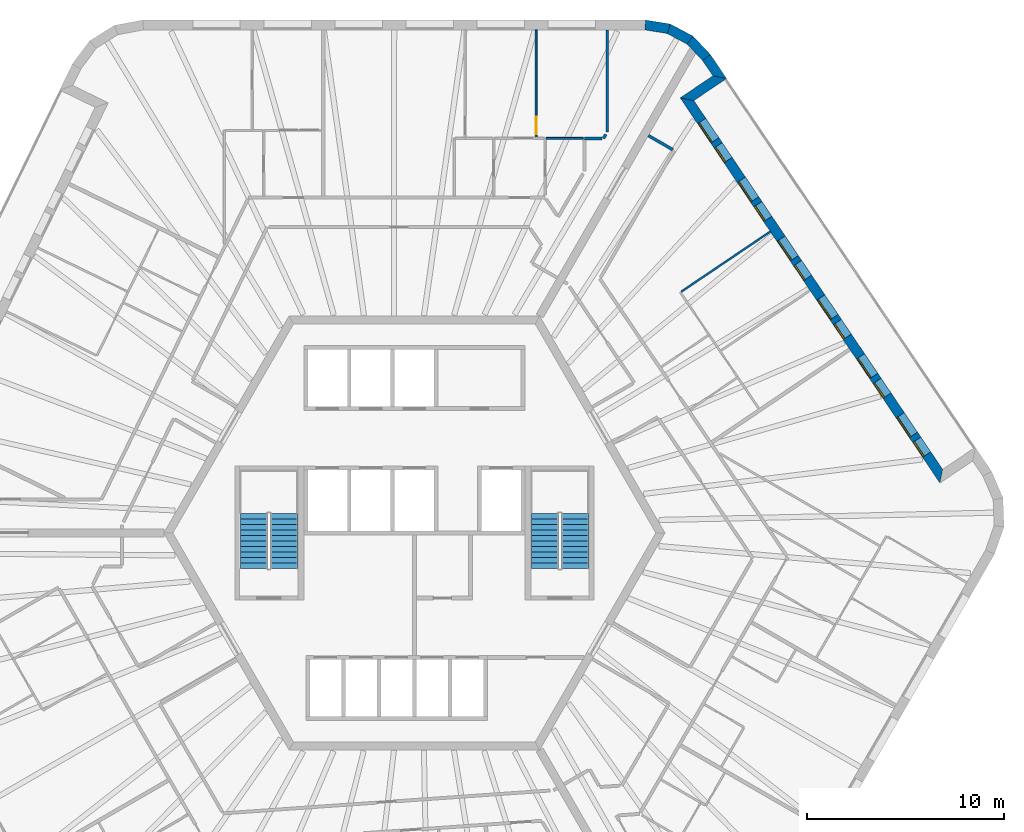
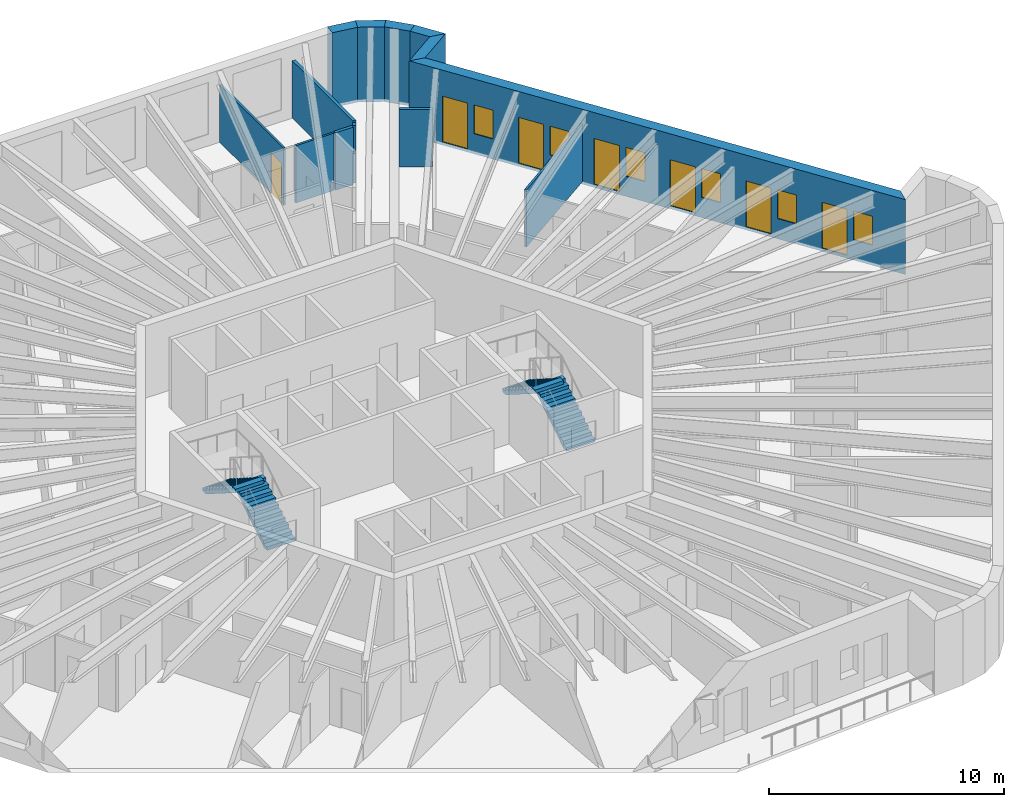
# One storey, part 11 of 12: 13 walls, 7 doors, 6 windows, 4 stair flights, 13 openings, 2 elements without a shape of their own.
"""IFC4 building model written with IfcOpenShell, lengths in metres."""

from ifc_helpers import new_model, si_unit, direction, frame, frame_2d, origin, place, context, subcontext, project, spatial, polyline, rectangle, outline, extrude, material, layer, layer_set, type_object, element, fill, aggregate, save


model = new_model("IFC4")

# Units and contexts
model_context = context("Model", 3, precision=1e-05, world=origin(), true_north=direction((0.0, 1.0)))
body_context = subcontext(model_context, "Body", "Model", "MODEL_VIEW")
ifc_project = project(units=[si_unit("LENGTHUNIT", "METRE"), si_unit("AREAUNIT", "SQUARE_METRE"), si_unit("VOLUMEUNIT", "CUBIC_METRE"), si_unit("PLANEANGLEUNIT", "RADIAN"), si_unit("MASSUNIT", "GRAM", prefix="KILO")], contexts=[model_context])

# Site, building, storey
site_placement = place(None, origin())
site = spatial("IfcSite", under=ifc_project, at=site_placement, CompositionType="ELEMENT")
building_placement = place(site_placement, origin())
building = spatial("IfcBuilding", under=site, at=building_placement, Name="Tarnside Tower", CompositionType="ELEMENT")
storey_placement = place(building_placement, frame((0.0, 0.0, 271.800048828125)))
storey = spatial("IfcBuildingStorey", under=building, at=storey_placement, Name="L65", CompositionType="ELEMENT", Elevation=271.800048828125)

# Walls
ifc_material_1 = material(Name="Gypsum board partition on steel studs", Category="steel")
ifc_layer_1 = layer(ifc_material_1, 0.10009765625)
ifc_layer_set_1 = layer_set([ifc_layer_1], Name="Bathroom wall 100")
wall_type_1 = type_object("IfcWallType", Name="Bathroom wall 100", PredefinedType="PARTITIONING", material=ifc_layer_set_1)
wall_1_placement = place(storey_placement, frame((6.676513671875, 20.0, 0.0), z_axis=(0.0, 0.0, 1.0), x_axis=(1.0, 0.0, 0.0)))
element("IfcWall", 1, at=wall_1_placement, inside=storey, type_object=wall_type_1, Name="Bathroom wall 21097", PredefinedType="PARTITIONING", context=body_context, shape_type="SweptSolid", body=[
    extrude(rectangle(XDim=1.875, YDim=0.10009765625, at=frame_2d((0.9375, 0.0))), origin(), (0.0, 0.0, 1.0), 2.98779296875),
])
ifc_layer_2 = layer(ifc_material_1, 0.14990234375)
ifc_layer_set_2 = layer_set([ifc_layer_2], Name="Corridor wall 150 EI 60")
wall_type_2 = type_object("IfcWallType", Name="Corridor wall 150 EI 60", PredefinedType="PARTITIONING", material=ifc_layer_set_2)
wall_2_placement = place(storey_placement, frame((9.775146484375, 25.5, 0.0), z_axis=(0.0, 0.0, 1.0), x_axis=(0.0, -1.0, 0.0)))
element("IfcWall", 2, at=wall_2_placement, inside=storey, type_object=wall_type_2, Name="Corridor wall 21004", PredefinedType="PARTITIONING", context=body_context, shape_type="SweptSolid", body=[
    extrude(rectangle(XDim=5.1689453125, YDim=0.14990234375, at=frame_2d((2.58447265625, 0.0))), origin(), (0.0, 0.0, 1.0), 2.98779296875),
])
wall_3_placement = place(storey_placement, frame((9.7001953125, 20.201171875, 0.0), z_axis=(0.0, 0.0, 1.0), x_axis=(-0.500207565094, -0.865905532852, 0.0)))
element("IfcWall", 3, at=wall_3_placement, inside=storey, type_object=wall_type_2, Name="Corridor wall 21005", PredefinedType="PARTITIONING", context=body_context, shape_type="SweptSolid", body=[
    extrude(rectangle(XDim=0.232421875, YDim=0.14990234375, at=frame_2d((0.1162109375, 0.0))), origin(), (0.0, 0.0, 1.0), 2.98779296875),
])
wall_4_placement = place(storey_placement, frame((9.497314453125, 20.0, 0.0), z_axis=(0.0, 0.0, 1.0), x_axis=(-1.0, 0.0, 0.0)))
element("IfcWall", 4, at=wall_4_placement, inside=storey, type_object=wall_type_2, Name="Corridor wall 21006", PredefinedType="PARTITIONING", context=body_context, shape_type="SweptSolid", body=[
    extrude(rectangle(XDim=0.874267578125, YDim=0.14990234375, at=frame_2d((0.43701171875, 0.0))), origin(), (0.0, 0.0, 1.0), 2.98779296875),
])
wall_5_placement = place(storey_placement, frame((13.09423828125, 19.429931640625, 0.0), z_axis=(0.0, 0.0, 1.0), x_axis=(-0.866062911188, 0.499935029643, 0.0)))
element("IfcWall", 5, at=wall_5_placement, inside=storey, type_object=wall_type_2, Name="Corridor wall 21071", PredefinedType="PARTITIONING", context=body_context, shape_type="SweptSolid", body=[
    extrude(rectangle(XDim=1.425048828125, YDim=0.14990234375, at=frame_2d((0.71240234375, 0.0))), origin(), (0.0, 0.0, 1.0), 2.98779296875),
])

# Wall, openings, doors, windows
ifc_material_2 = material(Name="Dark zinc cladding")
ifc_layer_3 = layer(ifc_material_2, 0.10205078125)
ifc_material_3 = material(Name="Concrete C60/75 precast", Category="concrete")
ifc_layer_4 = layer(ifc_material_3, 0.298095703125)
ifc_material_4 = material(Name="Mineral wool insulation")
ifc_layer_5 = layer(ifc_material_4, 0.10009765625)
ifc_layer_set_3 = layer_set([ifc_layer_3, ifc_layer_4, ifc_layer_5], Name="Loggia wall 500 zinc faced")
wall_type_3 = type_object("IfcWallType", Name="Loggia wall 500 zinc faced", PredefinedType="SOLIDWALL", material=ifc_layer_set_3)
wall_6_placement = place(storey_placement, frame((26.705810546875, 2.87890625, -0.150146484375), z_axis=(0.0, 0.0, 1.0), x_axis=(-0.559197891507, 0.829034208061, 0.0)))
wall_6 = element("IfcWall", 6, at=wall_6_placement, inside=storey, type_object=wall_type_3, Name="Tube wall L65 F6 back 30", PredefinedType="SOLIDWALL", context=body_context, shape_type="SweptSolid", body=[
    extrude(outline(polyline([(0.25, -0.25), (22.794677734375, -0.25), (23.294677734375, 0.25), (-0.25, 0.25), (0.25, -0.25)])), origin(), (0.0, 0.0, 1.0), 3.900146484375),
])
opening_1_placement = place(wall_6_placement, frame((1.322509765625, 0.0, 1.050048828125)))
opening_1 = element("IfcOpeningElement", 7, at=opening_1_placement, cuts=wall_6, Name="Opening WL500", PredefinedType="OPENING", context=body_context, shape_type="SweptSolid", body=[
    extrude(rectangle(XDim=0.89990234375, YDim=1.5, at=frame_2d((0.449951171875, 0.75))), frame((0.0, 0.260009765625, 0.0), z_axis=(0.0, -1.0, 0.0), x_axis=(1.0, 0.0, 0.0)), (0.0, 0.0, 1.0), 0.52001953125),
])
opening_2_placement = place(wall_6_placement, frame((2.5224609375, 0.0, 0.14990234375)))
opening_2 = element("IfcOpeningElement", 8, at=opening_2_placement, cuts=wall_6, Name="Opening DB500", PredefinedType="OPENING", context=body_context, shape_type="SweptSolid", body=[
    extrude(rectangle(XDim=1.199951171875, YDim=2.39990234375, at=frame_2d((0.60009765625, 1.199951171875))), frame((0.0, 0.260009765625, 0.0), z_axis=(0.0, -1.0, 0.0), x_axis=(1.0, 0.0, 0.0)), (0.0, 0.0, 1.0), 0.52001953125),
])
opening_3_placement = place(wall_6_placement, frame((4.92236328125, 0.0, 1.050048828125)))
opening_3 = element("IfcOpeningElement", 9, at=opening_3_placement, cuts=wall_6, Name="Opening WL500", PredefinedType="OPENING", context=body_context, shape_type="SweptSolid", body=[
    extrude(rectangle(XDim=0.89990234375, YDim=1.5, at=frame_2d((0.449951171875, 0.75))), frame((0.0, 0.260009765625, 0.0), z_axis=(0.0, -1.0, 0.0), x_axis=(1.0, 0.0, 0.0)), (0.0, 0.0, 1.0), 0.52001953125),
])
opening_4_placement = place(wall_6_placement, frame((6.122314453125, 0.0, 0.14990234375)))
opening_4 = element("IfcOpeningElement", 10, at=opening_4_placement, cuts=wall_6, Name="Opening DB500", PredefinedType="OPENING", context=body_context, shape_type="SweptSolid", body=[
    extrude(rectangle(XDim=1.199951171875, YDim=2.39990234375, at=frame_2d((0.60009765625, 1.199951171875))), frame((0.0, 0.260009765625, 0.0), z_axis=(0.0, -1.0, 0.0), x_axis=(1.0, 0.0, 0.0)), (0.0, 0.0, 1.0), 0.52001953125),
])
opening_5_placement = place(wall_6_placement, frame((8.5224609375, 0.0, 1.050048828125)))
opening_5 = element("IfcOpeningElement", 11, at=opening_5_placement, cuts=wall_6, Name="Opening WL500", PredefinedType="OPENING", context=body_context, shape_type="SweptSolid", body=[
    extrude(rectangle(XDim=0.89990234375, YDim=1.5, at=frame_2d((0.449951171875, 0.75))), frame((0.0, 0.260009765625, 0.0), z_axis=(0.0, -1.0, 0.0), x_axis=(1.0, 0.0, 0.0)), (0.0, 0.0, 1.0), 0.52001953125),
])
opening_6_placement = place(wall_6_placement, frame((9.722412109375, 0.0, 0.14990234375)))
opening_6 = element("IfcOpeningElement", 12, at=opening_6_placement, cuts=wall_6, Name="Opening DB500", PredefinedType="OPENING", context=body_context, shape_type="SweptSolid", body=[
    extrude(rectangle(XDim=1.199951171875, YDim=2.39990234375, at=frame_2d((0.60009765625, 1.199951171875))), frame((0.0, 0.260009765625, 0.0), z_axis=(0.0, -1.0, 0.0), x_axis=(1.0, 0.0, 0.0)), (0.0, 0.0, 1.0), 0.52001953125),
])
opening_7_placement = place(wall_6_placement, frame((12.122314453125, 0.0, 1.050048828125)))
opening_7 = element("IfcOpeningElement", 13, at=opening_7_placement, cuts=wall_6, Name="Opening WL500", PredefinedType="OPENING", context=body_context, shape_type="SweptSolid", body=[
    extrude(rectangle(XDim=0.89990234375, YDim=1.5, at=frame_2d((0.449951171875, 0.75))), frame((0.0, 0.260009765625, 0.0), z_axis=(0.0, -1.0, 0.0), x_axis=(1.0, 0.0, 0.0)), (0.0, 0.0, 1.0), 0.52001953125),
])
opening_8_placement = place(wall_6_placement, frame((13.322509765625, 0.0, 0.14990234375)))
opening_8 = element("IfcOpeningElement", 14, at=opening_8_placement, cuts=wall_6, Name="Opening DB500", PredefinedType="OPENING", context=body_context, shape_type="SweptSolid", body=[
    extrude(rectangle(XDim=1.199951171875, YDim=2.39990234375, at=frame_2d((0.60009765625, 1.199951171875))), frame((0.0, 0.260009765625, 0.0), z_axis=(0.0, -1.0, 0.0), x_axis=(1.0, 0.0, 0.0)), (0.0, 0.0, 1.0), 0.52001953125),
])
opening_9_placement = place(wall_6_placement, frame((15.722412109375, 0.0, 1.050048828125)))
opening_9 = element("IfcOpeningElement", 15, at=opening_9_placement, cuts=wall_6, Name="Opening WL500", PredefinedType="OPENING", context=body_context, shape_type="SweptSolid", body=[
    extrude(rectangle(XDim=0.89990234375, YDim=1.5, at=frame_2d((0.449951171875, 0.75))), frame((0.0, 0.260009765625, 0.0), z_axis=(0.0, -1.0, 0.0), x_axis=(1.0, 0.0, 0.0)), (0.0, 0.0, 1.0), 0.52001953125),
])
opening_10_placement = place(wall_6_placement, frame((16.92236328125, 0.0, 0.14990234375)))
opening_10 = element("IfcOpeningElement", 16, at=opening_10_placement, cuts=wall_6, Name="Opening DB500", PredefinedType="OPENING", context=body_context, shape_type="SweptSolid", body=[
    extrude(rectangle(XDim=1.199951171875, YDim=2.39990234375, at=frame_2d((0.60009765625, 1.199951171875))), frame((0.0, 0.260009765625, 0.0), z_axis=(0.0, -1.0, 0.0), x_axis=(1.0, 0.0, 0.0)), (0.0, 0.0, 1.0), 0.52001953125),
])
opening_11_placement = place(wall_6_placement, frame((19.322509765625, 0.0, 1.050048828125)))
opening_11 = element("IfcOpeningElement", 17, at=opening_11_placement, cuts=wall_6, Name="Opening WL500", PredefinedType="OPENING", context=body_context, shape_type="SweptSolid", body=[
    extrude(rectangle(XDim=0.89990234375, YDim=1.5, at=frame_2d((0.449951171875, 0.75))), frame((0.0, 0.260009765625, 0.0), z_axis=(0.0, -1.0, 0.0), x_axis=(1.0, 0.0, 0.0)), (0.0, 0.0, 1.0), 0.52001953125),
])
opening_12_placement = place(wall_6_placement, frame((20.5224609375, 0.0, 0.14990234375)))
opening_12 = element("IfcOpeningElement", 18, at=opening_12_placement, cuts=wall_6, Name="Opening DB500", PredefinedType="OPENING", context=body_context, shape_type="SweptSolid", body=[
    extrude(rectangle(XDim=1.199951171875, YDim=2.39990234375, at=frame_2d((0.60009765625, 1.199951171875))), frame((0.0, 0.260009765625, 0.0), z_axis=(0.0, -1.0, 0.0), x_axis=(1.0, 0.0, 0.0)), (0.0, 0.0, 1.0), 0.52001953125),
])
ifc_material_5 = material(Name="Aluminium-framed double glazing", Category="aluminium")
door_type_1 = type_object("IfcDoorType", Name="Balcony sliding door 1200 x 2400 in 500 wall", OperationType="SLIDING_TO_LEFT", PredefinedType="DOOR", material=ifc_material_5)
door_1_placement = place(opening_2_placement, frame((0.0, 0.1748046875, 0.0)))
door_1 = element("IfcDoor", 19, at=door_1_placement, inside=storey, type_object=door_type_1, Name="E.BD.L65.F6.00", OperationType="SLIDING_TO_LEFT", OverallHeight=2.39990234375, OverallWidth=1.199951171875, PredefinedType="DOOR", context=body_context, shape_type="SweptSolid", body=[
    extrude(rectangle(XDim=1.199951171875, YDim=2.39990234375, at=frame_2d((0.60009765625, 1.199951171875))), frame((0.0, 0.02490234375, 0.0), z_axis=(0.0, -1.0, 0.0), x_axis=(1.0, 0.0, 0.0)), (0.0, 0.0, 1.0), 0.050048828125),
])
fill(opening_2, door_1)
door_2_placement = place(opening_4_placement, frame((0.0, 0.1748046875, 0.0)))
door_2 = element("IfcDoor", 20, at=door_2_placement, inside=storey, type_object=door_type_1, Name="E.BD.L65.F6.01", OperationType="SLIDING_TO_LEFT", OverallHeight=2.39990234375, OverallWidth=1.199951171875, PredefinedType="DOOR", context=body_context, shape_type="SweptSolid", body=[
    extrude(rectangle(XDim=1.199951171875, YDim=2.39990234375, at=frame_2d((0.60009765625, 1.199951171875))), frame((0.0, 0.02490234375, 0.0), z_axis=(0.0, -1.0, 0.0), x_axis=(1.0, 0.0, 0.0)), (0.0, 0.0, 1.0), 0.050048828125),
])
fill(opening_4, door_2)
door_3_placement = place(opening_6_placement, frame((0.0, 0.1748046875, 0.0)))
door_3 = element("IfcDoor", 21, at=door_3_placement, inside=storey, type_object=door_type_1, Name="E.BD.L65.F6.02", OperationType="SLIDING_TO_LEFT", OverallHeight=2.39990234375, OverallWidth=1.199951171875, PredefinedType="DOOR", context=body_context, shape_type="SweptSolid", body=[
    extrude(rectangle(XDim=1.199951171875, YDim=2.39990234375, at=frame_2d((0.60009765625, 1.199951171875))), frame((0.0, 0.02490234375, 0.0), z_axis=(0.0, -1.0, 0.0), x_axis=(1.0, 0.0, 0.0)), (0.0, 0.0, 1.0), 0.050048828125),
])
fill(opening_6, door_3)
door_4_placement = place(opening_8_placement, frame((0.0, 0.1748046875, 0.0)))
door_4 = element("IfcDoor", 22, at=door_4_placement, inside=storey, type_object=door_type_1, Name="E.BD.L65.F6.03", OperationType="SLIDING_TO_LEFT", OverallHeight=2.39990234375, OverallWidth=1.199951171875, PredefinedType="DOOR", context=body_context, shape_type="SweptSolid", body=[
    extrude(rectangle(XDim=1.199951171875, YDim=2.39990234375, at=frame_2d((0.60009765625, 1.199951171875))), frame((0.0, 0.02490234375, 0.0), z_axis=(0.0, -1.0, 0.0), x_axis=(1.0, 0.0, 0.0)), (0.0, 0.0, 1.0), 0.050048828125),
])
fill(opening_8, door_4)
door_5_placement = place(opening_10_placement, frame((0.0, 0.1748046875, 0.0)))
door_5 = element("IfcDoor", 23, at=door_5_placement, inside=storey, type_object=door_type_1, Name="E.BD.L65.F6.04", OperationType="SLIDING_TO_LEFT", OverallHeight=2.39990234375, OverallWidth=1.199951171875, PredefinedType="DOOR", context=body_context, shape_type="SweptSolid", body=[
    extrude(rectangle(XDim=1.199951171875, YDim=2.39990234375, at=frame_2d((0.60009765625, 1.199951171875))), frame((0.0, 0.02490234375, 0.0), z_axis=(0.0, -1.0, 0.0), x_axis=(1.0, 0.0, 0.0)), (0.0, 0.0, 1.0), 0.050048828125),
])
fill(opening_10, door_5)
door_6_placement = place(opening_12_placement, frame((0.0, 0.1748046875, 0.0)))
door_6 = element("IfcDoor", 24, at=door_6_placement, inside=storey, type_object=door_type_1, Name="E.BD.L65.F6.05", OperationType="SLIDING_TO_LEFT", OverallHeight=2.39990234375, OverallWidth=1.199951171875, PredefinedType="DOOR", context=body_context, shape_type="SweptSolid", body=[
    extrude(rectangle(XDim=1.199951171875, YDim=2.39990234375, at=frame_2d((0.60009765625, 1.199951171875))), frame((0.0, 0.02490234375, 0.0), z_axis=(0.0, -1.0, 0.0), x_axis=(1.0, 0.0, 0.0)), (0.0, 0.0, 1.0), 0.050048828125),
])
fill(opening_12, door_6)
window_type = type_object("IfcWindowType", Name="Loggia window 900 x 1500 in 500 wall", PartitioningType="SINGLE_PANEL", PredefinedType="WINDOW", material=ifc_material_5)
window_1_placement = place(opening_1_placement, frame((0.0, 0.179931640625, 0.0)))
window_1 = element("IfcWindow", 25, at=window_1_placement, inside=storey, type_object=window_type, Name="E.LW.L65.F6.00", OverallHeight=1.5, OverallWidth=0.89990234375, PartitioningType="SINGLE_PANEL", PredefinedType="WINDOW", context=body_context, shape_type="SweptSolid", body=[
    extrude(rectangle(XDim=0.89990234375, YDim=1.5, at=frame_2d((0.449951171875, 0.75))), frame((0.0, 0.030029296875, 0.0), z_axis=(0.0, -1.0, 0.0), x_axis=(1.0, 0.0, 0.0)), (0.0, 0.0, 1.0), 0.06005859375),
])
fill(opening_1, window_1)
window_2_placement = place(opening_3_placement, frame((0.0, 0.179931640625, 0.0)))
window_2 = element("IfcWindow", 26, at=window_2_placement, inside=storey, type_object=window_type, Name="E.LW.L65.F6.01", OverallHeight=1.5, OverallWidth=0.89990234375, PartitioningType="SINGLE_PANEL", PredefinedType="WINDOW", context=body_context, shape_type="SweptSolid", body=[
    extrude(rectangle(XDim=0.89990234375, YDim=1.5, at=frame_2d((0.449951171875, 0.75))), frame((0.0, 0.030029296875, 0.0), z_axis=(0.0, -1.0, 0.0), x_axis=(1.0, 0.0, 0.0)), (0.0, 0.0, 1.0), 0.06005859375),
])
fill(opening_3, window_2)
window_3_placement = place(opening_5_placement, frame((0.0, 0.179931640625, 0.0)))
window_3 = element("IfcWindow", 27, at=window_3_placement, inside=storey, type_object=window_type, Name="E.LW.L65.F6.02", OverallHeight=1.5, OverallWidth=0.89990234375, PartitioningType="SINGLE_PANEL", PredefinedType="WINDOW", context=body_context, shape_type="SweptSolid", body=[
    extrude(rectangle(XDim=0.89990234375, YDim=1.5, at=frame_2d((0.449951171875, 0.75))), frame((0.0, 0.030029296875, 0.0), z_axis=(0.0, -1.0, 0.0), x_axis=(1.0, 0.0, 0.0)), (0.0, 0.0, 1.0), 0.06005859375),
])
fill(opening_5, window_3)
window_4_placement = place(opening_7_placement, frame((0.0, 0.179931640625, 0.0)))
window_4 = element("IfcWindow", 28, at=window_4_placement, inside=storey, type_object=window_type, Name="E.LW.L65.F6.03", OverallHeight=1.5, OverallWidth=0.89990234375, PartitioningType="SINGLE_PANEL", PredefinedType="WINDOW", context=body_context, shape_type="SweptSolid", body=[
    extrude(rectangle(XDim=0.89990234375, YDim=1.5, at=frame_2d((0.449951171875, 0.75))), frame((0.0, 0.030029296875, 0.0), z_axis=(0.0, -1.0, 0.0), x_axis=(1.0, 0.0, 0.0)), (0.0, 0.0, 1.0), 0.06005859375),
])
fill(opening_7, window_4)
window_5_placement = place(opening_9_placement, frame((0.0, 0.179931640625, 0.0)))
window_5 = element("IfcWindow", 29, at=window_5_placement, inside=storey, type_object=window_type, Name="E.LW.L65.F6.04", OverallHeight=1.5, OverallWidth=0.89990234375, PartitioningType="SINGLE_PANEL", PredefinedType="WINDOW", context=body_context, shape_type="SweptSolid", body=[
    extrude(rectangle(XDim=0.89990234375, YDim=1.5, at=frame_2d((0.449951171875, 0.75))), frame((0.0, 0.030029296875, 0.0), z_axis=(0.0, -1.0, 0.0), x_axis=(1.0, 0.0, 0.0)), (0.0, 0.0, 1.0), 0.06005859375),
])
fill(opening_9, window_5)
window_6_placement = place(opening_11_placement, frame((0.0, 0.179931640625, 0.0)))
window_6 = element("IfcWindow", 30, at=window_6_placement, inside=storey, type_object=window_type, Name="E.LW.L65.F6.05", OverallHeight=1.5, OverallWidth=0.89990234375, PartitioningType="SINGLE_PANEL", PredefinedType="WINDOW", context=body_context, shape_type="SweptSolid", body=[
    extrude(rectangle(XDim=0.89990234375, YDim=1.5, at=frame_2d((0.449951171875, 0.75))), frame((0.0, 0.030029296875, 0.0), z_axis=(0.0, -1.0, 0.0), x_axis=(1.0, 0.0, 0.0)), (0.0, 0.0, 1.0), 0.06005859375),
])
fill(opening_11, window_6)

# Walls
wall_7_placement = place(storey_placement, frame((13.8193359375, 21.983642578125, -0.150146484375), z_axis=(0.0, 0.0, 1.0), x_axis=(0.829052389485, 0.559170935841, 0.0)))
element("IfcWall", 31, at=wall_7_placement, inside=storey, type_object=wall_type_3, Name="Tube wall L65 F6 return 31", PredefinedType="SOLIDWALL", context=body_context, shape_type="SweptSolid", body=[
    extrude(outline(polyline([(0.25, -0.25), (2.25, -0.25), (1.75, 0.25), (-0.25, 0.25), (0.25, -0.25)])), origin(), (0.0, 0.0, 1.0), 3.900146484375),
])
wall_8_placement = place(storey_placement, frame((15.4775390625, 23.10205078125, -0.150146484375), z_axis=(0.0, 0.0, 1.0), x_axis=(-0.559245726333, 0.829001940636, 0.0)))
element("IfcWall", 32, at=wall_8_placement, inside=storey, type_object=wall_type_3, Name="Tube wall L65 F6 stub 32", PredefinedType="SOLIDWALL", context=body_context, shape_type="SweptSolid", body=[
    extrude(outline(polyline([(-0.25, -0.25), (1.220703125, -0.25), (1.1796875, 0.25), (0.25, 0.25), (-0.25, -0.25)])), origin(), (0.0, 0.0, 1.0), 3.900146484375),
])

# Wall, opening, door
ifc_layer_6 = layer(ifc_material_1, 0.10009765625)
ifc_layer_set_4 = layer_set([ifc_layer_6], Name="Partition 100")
wall_type_4 = type_object("IfcWallType", Name="Partition 100", PredefinedType="PARTITIONING", material=ifc_layer_set_4)
wall_9_placement = place(storey_placement, frame((6.17529296875, 25.5, 0.0), z_axis=(0.0, 0.0, 1.0), x_axis=(0.0, -1.0, 0.0)))
wall_9 = element("IfcWall", 33, at=wall_9_placement, inside=storey, type_object=wall_type_4, Name="Partition wall 21096", PredefinedType="PARTITIONING", context=body_context, shape_type="SweptSolid", body=[
    extrude(rectangle(XDim=5.449951171875, YDim=0.10009765625, at=frame_2d((2.72509765625, 0.0))), origin(), (0.0, 0.0, 1.0), 2.98779296875),
])
opening_13_placement = place(wall_9_placement, frame((4.39990234375, 0.0, 0.0)))
opening_13 = element("IfcOpeningElement", 34, at=opening_13_placement, cuts=wall_9, Name="Opening D-I1", PredefinedType="OPENING", context=body_context, shape_type="SweptSolid", body=[
    extrude(rectangle(XDim=0.89990234375, YDim=2.10009765625, at=frame_2d((0.449951171875, 1.050048828125))), frame((0.0, 0.06005859375, 0.0), z_axis=(0.0, -1.0, 0.0), x_axis=(1.0, 0.0, 0.0)), (0.0, 0.0, 1.0), 0.1201171875),
])
ifc_material_6 = material(Name="Timber door leaf", Category="wood")
door_type_2 = type_object("IfcDoorType", Name="Internal door 900", OperationType="NOTDEFINED", PredefinedType="DOOR", material=ifc_material_6)
door_7_placement = place(opening_13_placement, origin())
door_7 = element("IfcDoor", 35, at=door_7_placement, inside=storey, type_object=door_type_2, Name="Internal door 21008", OperationType="SINGLE_SWING_RIGHT", OverallHeight=2.10009765625, OverallWidth=0.89990234375, PredefinedType="DOOR", context=body_context, shape_type="SweptSolid", body=[
    extrude(rectangle(XDim=0.89990234375, YDim=2.10009765625, at=frame_2d((0.449951171875, 1.050048828125))), frame((0.0, 0.02490234375, 0.0), z_axis=(0.0, -1.0, 0.0), x_axis=(1.0, 0.0, 0.0)), (0.0, 0.0, 1.0), 0.050048828125),
])
fill(opening_13, door_7)

# Walls
wall_10_placement = place(storey_placement, frame((13.524169921875, 12.228515625, 0.0), z_axis=(0.0, 0.0, 1.0), x_axis=(0.829026245862, 0.559209695617, 0.0)))
element("IfcWall", 36, at=wall_10_placement, inside=storey, type_object=wall_type_4, Name="Partition wall 21173", PredefinedType="PARTITIONING", context=body_context, shape_type="SweptSolid", body=[
    extrude(rectangle(XDim=5.449951171875, YDim=0.10009765625, at=frame_2d((2.72509765625, 0.0))), origin(), (0.0, 0.0, 1.0), 2.98779296875),
])
ifc_material_7 = material(Name="Facing brick", Category="masonry")
ifc_layer_7 = layer(ifc_material_7, 0.10205078125)
ifc_layer_8 = layer(ifc_material_3, 0.298095703125)
ifc_layer_9 = layer(ifc_material_4, 0.10009765625)
ifc_layer_set_5 = layer_set([ifc_layer_7, ifc_layer_8, ifc_layer_9], Name="Tube wall 500 brick faced")
wall_type_5 = type_object("IfcWallType", Name="Tube wall 500 brick faced", PredefinedType="SOLIDWALL", material=ifc_layer_set_5)
wall_11_placement = place(storey_placement, frame((14.806396484375, 24.096923828125, -0.150146484375), z_axis=(0.0, 0.0, 1.0), x_axis=(-0.686234452793, 0.727380420275, 0.0)))
element("IfcWall", 37, at=wall_11_placement, inside=storey, type_object=wall_type_5, Name="Tube wall L65 F6 chord 33", PredefinedType="SOLIDWALL", context=body_context, shape_type="SweptSolid", body=[
    extrude(outline(polyline([(-0.0205078125, -0.25), (1.25732421875, -0.25), (1.17529296875, 0.25), (0.0205078125, 0.25), (-0.0205078125, -0.25)])), origin(), (0.0, 0.0, 1.0), 3.900146484375),
])
wall_12_placement = place(storey_placement, frame((13.9716796875, 24.981689453125, -0.150146484375), z_axis=(0.0, 0.0, 1.0), x_axis=(-0.882902492938, 0.469556373575, 0.0)))
element("IfcWall", 38, at=wall_12_placement, inside=storey, type_object=wall_type_5, Name="Tube wall L65 F6 chord 34", PredefinedType="SOLIDWALL", context=body_context, shape_type="SweptSolid", body=[
    extrude(outline(polyline([(-0.041015625, -0.25), (1.257080078125, -0.25), (1.175048828125, 0.25), (0.041015625, 0.25), (-0.041015625, -0.25)])), origin(), (0.0, 0.0, 1.0), 3.900146484375),
])
wall_13_placement = place(storey_placement, frame((12.89794921875, 25.552734375, -0.150146484375), z_axis=(0.0, 0.0, 1.0), x_axis=(-0.986765617372, 0.16215306464, 0.0)))
element("IfcWall", 39, at=wall_13_placement, inside=storey, type_object=wall_type_5, Name="Tube wall L65 F6 chord 35", PredefinedType="SOLIDWALL", context=body_context, shape_type="SweptSolid", body=[
    extrude(outline(polyline([(-0.041015625, -0.25), (1.237060546875, -0.25), (1.196044921875, 0.25), (0.041015625, 0.25), (-0.041015625, -0.25)])), origin(), (0.0, 0.0, 1.0), 3.900146484375),
])

# Stair, stair flights
ifc_material_8 = material(Name="Concrete C40/50", Category="concrete")
stair_type = type_object("IfcStairType", Name="Exit stair 1400 clear", PredefinedType="HALF_TURN_STAIR", material=ifc_material_8)
stair_1_placement = place(storey_placement, origin())
stair_1 = element("IfcStair", 40, at=stair_1_placement, inside=storey, type_object=stair_type, Name="L65 Exit stair 1", PredefinedType="HALF_TURN_STAIR")
stair_flight_type = type_object("IfcStairFlightType", Name="Exit stair flight 1400", PredefinedType="STRAIGHT", material=ifc_material_8)
stair_flight_1_placement = place(storey_placement, frame((8.14990234375, -1.800048828125, 0.0), z_axis=(0.0, 0.0, 1.0), x_axis=(0.0, 1.0, 0.0)))
stair_flight_1 = element("IfcStairFlight", 41, at=stair_flight_1_placement, type_object=stair_flight_type, Name="ST1 flight 1", NumberOfRisers=11, NumberOfTreads=10, PredefinedType="STRAIGHT", RiserHeight=0.177272727, TreadLength=0.28, context=body_context, shape_type="SweptSolid", body=[
    extrude(outline(polyline([(0.0, 0.0), (0.0, 0.17724609375), (0.280029296875, 0.17724609375), (0.280029296875, 0.3544921875), (0.56005859375, 0.3544921875), (0.56005859375, 0.53173828125), (0.840087890625, 0.53173828125), (0.840087890625, 0.708984375), (1.1201171875, 0.708984375), (1.1201171875, 0.886474609375), (1.39990234375, 0.886474609375), (1.39990234375, 1.063720703125), (1.679931640625, 1.063720703125), (1.679931640625, 1.240966796875), (1.9599609375, 1.240966796875), (1.9599609375, 1.418212890625), (2.239990234375, 1.418212890625), (2.239990234375, 1.595458984375), (2.52001953125, 1.595458984375), (2.52001953125, 1.772705078125), (2.800048828125, 1.772705078125), (2.800048828125, 1.949951171875), (2.800048828125, 1.59521484375), (0.2802734375, 0.0), (0.0, 0.0)])), frame((0.0, 0.699951171875, 0.0), z_axis=(0.0, -1.0, 0.0), x_axis=(1.0, 0.0, 0.0)), (0.0, 0.0, 1.0), 1.39990234375),
])
stair_flight_2_placement = place(storey_placement, frame((6.60009765625, 1.0, 1.949951171875), z_axis=(0.0, 0.0, 1.0), x_axis=(0.0, -1.0, 0.0)))
stair_flight_2 = element("IfcStairFlight", 42, at=stair_flight_2_placement, type_object=stair_flight_type, Name="ST1 flight 2", NumberOfRisers=11, NumberOfTreads=10, PredefinedType="STRAIGHT", RiserHeight=0.177272727, TreadLength=0.28, context=body_context, shape_type="SweptSolid", body=[
    extrude(outline(polyline([(0.0, 0.0), (0.0, 0.17724609375), (0.280029296875, 0.17724609375), (0.280029296875, 0.3544921875), (0.56005859375, 0.3544921875), (0.56005859375, 0.53173828125), (0.840087890625, 0.53173828125), (0.840087890625, 0.708984375), (1.1201171875, 0.708984375), (1.1201171875, 0.886474609375), (1.39990234375, 0.886474609375), (1.39990234375, 1.063720703125), (1.679931640625, 1.063720703125), (1.679931640625, 1.240966796875), (1.9599609375, 1.240966796875), (1.9599609375, 1.418212890625), (2.239990234375, 1.418212890625), (2.239990234375, 1.595458984375), (2.52001953125, 1.595458984375), (2.52001953125, 1.772705078125), (2.800048828125, 1.772705078125), (2.800048828125, 1.949951171875), (2.800048828125, 1.59521484375), (0.2802734375, 0.0), (0.0, 0.0)])), frame((0.0, 0.699951171875, 0.0), z_axis=(0.0, -1.0, 0.0), x_axis=(1.0, 0.0, 0.0)), (0.0, 0.0, 1.0), 1.39990234375),
])
aggregate(stair_1, [stair_flight_1, stair_flight_2])

stair_2_placement = place(storey_placement, origin())
stair_2 = element("IfcStair", 43, at=stair_2_placement, inside=storey, type_object=stair_type, Name="L65 Exit stair 2", PredefinedType="HALF_TURN_STAIR")
stair_flight_3_placement = place(storey_placement, frame((-6.60009765625, -1.800048828125, 0.0), z_axis=(0.0, 0.0, 1.0), x_axis=(0.0, 1.0, 0.0)))
stair_flight_3 = element("IfcStairFlight", 44, at=stair_flight_3_placement, type_object=stair_flight_type, Name="ST2 flight 1", NumberOfRisers=11, NumberOfTreads=10, PredefinedType="STRAIGHT", RiserHeight=0.177272727, TreadLength=0.28, context=body_context, shape_type="SweptSolid", body=[
    extrude(outline(polyline([(0.0, 0.0), (0.0, 0.17724609375), (0.280029296875, 0.17724609375), (0.280029296875, 0.3544921875), (0.56005859375, 0.3544921875), (0.56005859375, 0.53173828125), (0.840087890625, 0.53173828125), (0.840087890625, 0.708984375), (1.1201171875, 0.708984375), (1.1201171875, 0.886474609375), (1.39990234375, 0.886474609375), (1.39990234375, 1.063720703125), (1.679931640625, 1.063720703125), (1.679931640625, 1.240966796875), (1.9599609375, 1.240966796875), (1.9599609375, 1.418212890625), (2.239990234375, 1.418212890625), (2.239990234375, 1.595458984375), (2.52001953125, 1.595458984375), (2.52001953125, 1.772705078125), (2.800048828125, 1.772705078125), (2.800048828125, 1.949951171875), (2.800048828125, 1.59521484375), (0.2802734375, 0.0), (0.0, 0.0)])), frame((0.0, 0.699951171875, 0.0), z_axis=(0.0, -1.0, 0.0), x_axis=(1.0, 0.0, 0.0)), (0.0, 0.0, 1.0), 1.39990234375),
])
stair_flight_4_placement = place(storey_placement, frame((-8.14990234375, 1.0, 1.949951171875), z_axis=(0.0, 0.0, 1.0), x_axis=(0.0, -1.0, 0.0)))
stair_flight_4 = element("IfcStairFlight", 45, at=stair_flight_4_placement, type_object=stair_flight_type, Name="ST2 flight 2", NumberOfRisers=11, NumberOfTreads=10, PredefinedType="STRAIGHT", RiserHeight=0.177272727, TreadLength=0.28, context=body_context, shape_type="SweptSolid", body=[
    extrude(outline(polyline([(0.0, 0.0), (0.0, 0.17724609375), (0.280029296875, 0.17724609375), (0.280029296875, 0.3544921875), (0.56005859375, 0.3544921875), (0.56005859375, 0.53173828125), (0.840087890625, 0.53173828125), (0.840087890625, 0.708984375), (1.1201171875, 0.708984375), (1.1201171875, 0.886474609375), (1.39990234375, 0.886474609375), (1.39990234375, 1.063720703125), (1.679931640625, 1.063720703125), (1.679931640625, 1.240966796875), (1.9599609375, 1.240966796875), (1.9599609375, 1.418212890625), (2.239990234375, 1.418212890625), (2.239990234375, 1.595458984375), (2.52001953125, 1.595458984375), (2.52001953125, 1.772705078125), (2.800048828125, 1.772705078125), (2.800048828125, 1.949951171875), (2.800048828125, 1.59521484375), (0.2802734375, 0.0), (0.0, 0.0)])), frame((0.0, 0.699951171875, 0.0), z_axis=(0.0, -1.0, 0.0), x_axis=(1.0, 0.0, 0.0)), (0.0, 0.0, 1.0), 1.39990234375),
])
aggregate(stair_2, [stair_flight_3, stair_flight_4])

save(model, "model.ifc")
